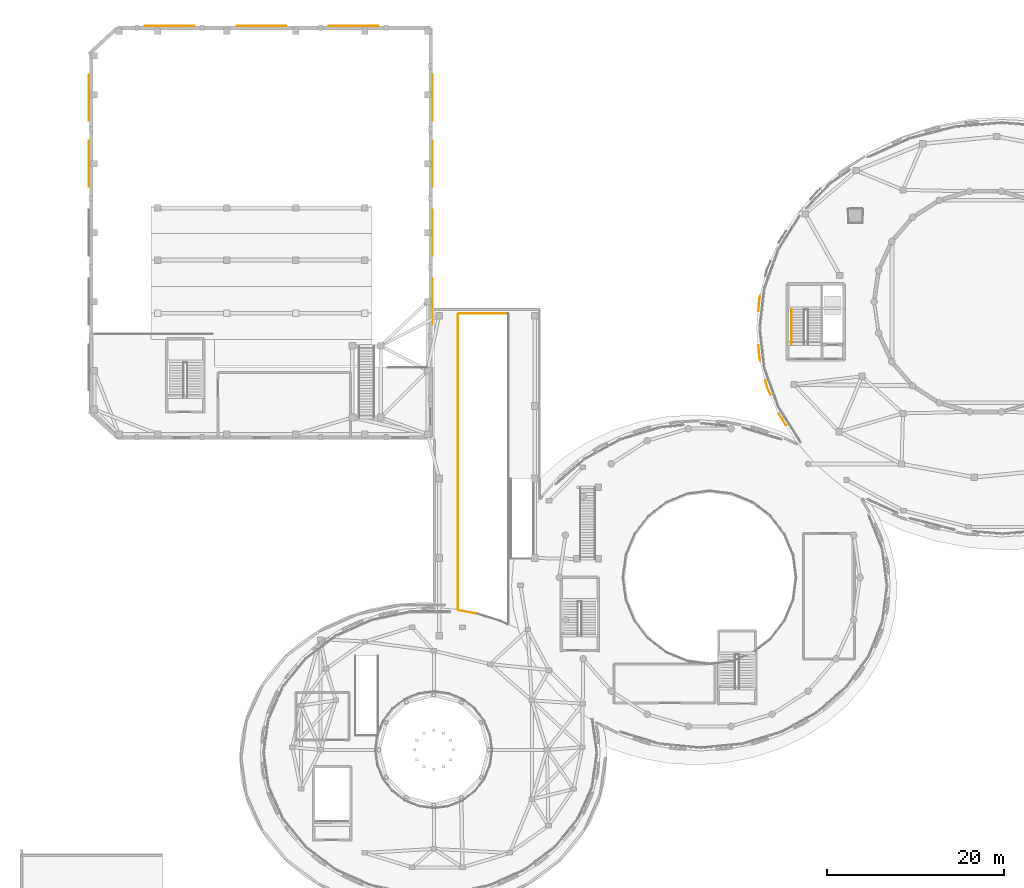
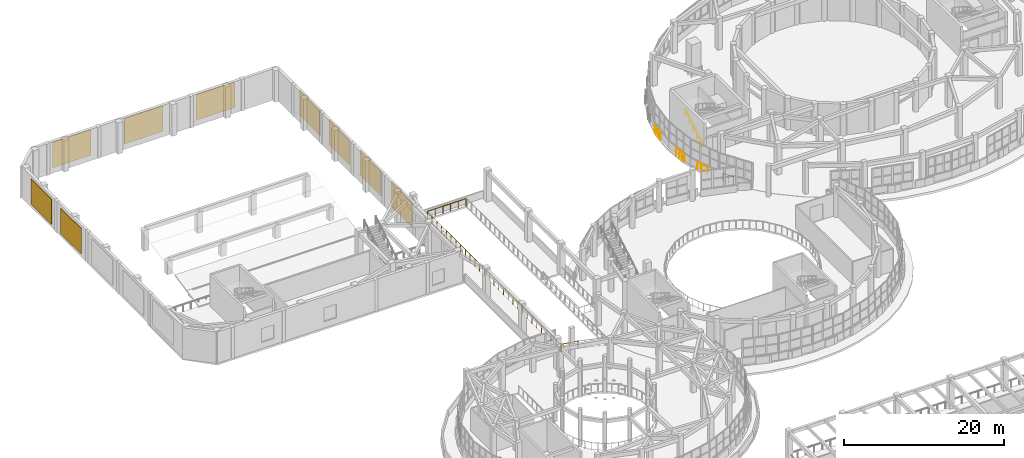
# One storey, part 94 of 98: 9 coverings, 6 railings.
"""IFC4 building model written with IfcOpenShell, lengths in metres."""

import ifcopenshell
import ifcopenshell.guid

model = None  # the IFC model being written
_history = None  # IfcOwnerHistory: only IFC2X3 demands one
_inside = {}  # id of a spatial element -> (the spatial element, [elements in it])
_under = {}  # id of a project, library or spatial element -> (it, [spatial elements below it])
_declared = {}  # id of a project -> (the project, [libraries it declares])
_typed = {}  # id of a type object -> (the type object, [elements of that type])
_made_of = {}  # id of a material, layer set ... -> (it, [elements and type objects made of it])


def new_model(schema):
    """Start an empty IFC model of exactly this schema.

    Asked for "IFC4X3", IfcOpenShell would pick the latest addendum, in which some entities
    have other attributes; the version numbers below select the first issue.
    IFC2X3 requires an IfcOwnerHistory on every rooted entity: one is made here for all.
    """
    global model, _history
    if schema == "IFC4X3":
        model = ifcopenshell.file(schema_version=(4, 3, 0, 0))
    else:
        model = ifcopenshell.file(schema=schema)
    _inside.clear()
    _under.clear()
    _declared.clear()
    _typed.clear()
    _made_of.clear()
    _history = None
    if model.schema == "IFC2X3":
        org = make("IfcOrganization", Name="unknown")
        user = make(
            "IfcPersonAndOrganization",
            ThePerson=make("IfcPerson", FamilyName="unknown"),
            TheOrganization=org,
        )
        app = make(
            "IfcApplication",
            ApplicationDeveloper=org,
            Version="unknown",
            ApplicationFullName="unknown",
            ApplicationIdentifier="unknown",
        )
        _history = make(
            "IfcOwnerHistory",
            OwningUser=user,
            OwningApplication=app,
            ChangeAction="ADDED",
            CreationDate=0,
        )
    return model


def make(cls, **values):
    """One entity of the class cls with the attributes given. An attribute that is None is left unset."""
    return model.create_entity(
        cls, **{name: value for name, value in values.items() if value is not None}
    )


def rooted(cls, **values):
    """An entity with a GlobalId (a new one), such as an element, a storey or a relation."""
    return make(cls, GlobalId=ifcopenshell.guid.new(), OwnerHistory=_history, **values)


def si_unit(unit_type, name, prefix=None):
    """IfcSIUnit, for example si_unit("LENGTHUNIT", "METRE", prefix="MILLI")."""
    return make("IfcSIUnit", UnitType=unit_type, Prefix=prefix, Name=name)


def assignment(units):
    """IfcUnitAssignment: the units of a project."""
    return None if units is None else make("IfcUnitAssignment", Units=units)


def point(xyz):
    """IfcCartesianPoint."""
    return None if xyz is None else make("IfcCartesianPoint", Coordinates=xyz)


def direction(xyz):
    """IfcDirection."""
    return None if xyz is None else make("IfcDirection", DirectionRatios=xyz)


def frame(location, z_axis=None, x_axis=None):
    """IfcAxis2Placement3D, a coordinate frame: its origin and axes. An axis left out is left unset."""
    return make(
        "IfcAxis2Placement3D",
        Location=point(location),
        Axis=direction(z_axis),
        RefDirection=direction(x_axis),
    )


def frame_2d(location, x_axis=None):
    """IfcAxis2Placement2D, a coordinate frame in the plane: its origin and x axis."""
    return make(
        "IfcAxis2Placement2D", Location=point(location), RefDirection=direction(x_axis)
    )


def origin():
    """The frame at (0, 0, 0) with its axes left unset."""
    return frame((0.0, 0.0, 0.0))


def origin_2d():
    """The frame at (0, 0) in the plane with its x axis left unset."""
    return frame_2d((0.0, 0.0))


def place(relative_to, where):
    """IfcLocalPlacement: puts the frame where relative to a parent placement (None: the world)."""
    return make(
        "IfcLocalPlacement", PlacementRelTo=relative_to, RelativePlacement=where
    )


def context(
    kind, dimensions, precision=None, world=None, true_north=None, identifier=None
):
    """IfcGeometricRepresentationContext, for example the 3D "Model" context."""
    return make(
        "IfcGeometricRepresentationContext",
        ContextIdentifier=identifier,
        ContextType=kind,
        CoordinateSpaceDimension=dimensions,
        Precision=precision,
        WorldCoordinateSystem=world,
        TrueNorth=true_north,
    )


def subcontext(parent, identifier, kind, view, scale=None):
    """IfcGeometricRepresentationSubContext, for example "Body" below "Model"."""
    return make(
        "IfcGeometricRepresentationSubContext",
        ContextIdentifier=identifier,
        ContextType=kind,
        ParentContext=parent,
        TargetScale=scale,
        TargetView=view,
    )


def project(units=None, contexts=None):
    """IfcProject with its units and contexts."""
    return rooted(
        "IfcProject",
        Name="project",
        RepresentationContexts=contexts,
        UnitsInContext=assignment(units),
    )


def spatial(cls, under=None, at=None, **own):
    """A site, building, storey or space (cls), placed at a placement, below another one or the project."""
    s = rooted(cls, ObjectPlacement=at, **own)
    if under is not None:
        _under.setdefault(under.id(), (under, []))[1].append(s)
    return s


def profile(cls, at=None, kind="AREA", **sizes):
    """A parametric profile (cls). Its sizes go by their IFC names, for example OverallWidth=200.0."""
    return make(cls, ProfileType=kind, Position=at, **sizes)


def rectangle(**sizes):
    """IfcRectangleProfileDef."""
    return profile("IfcRectangleProfileDef", **sizes)


def circle(**sizes):
    """IfcCircleProfileDef."""
    return profile("IfcCircleProfileDef", **sizes)


def extrude(swept, where, along, depth):
    """IfcExtrudedAreaSolid: the profile swept, set in the frame where, extruded along a direction by depth."""
    return make(
        "IfcExtrudedAreaSolid",
        SweptArea=swept,
        Position=where,
        ExtrudedDirection=direction(along),
        Depth=depth,
    )


def shape(context_of_items, identifier, shape_type, items):
    """IfcShapeRepresentation: the items that make up one representation, for example the "Body"."""
    return make(
        "IfcShapeRepresentation",
        ContextOfItems=context_of_items,
        RepresentationIdentifier=identifier,
        RepresentationType=shape_type,
        Items=items,
    )


def material(Name=None, Category=None):
    """IfcMaterial."""
    return make("IfcMaterial", Name=Name, Category=Category)


def layer(
    of_material, thickness, ventilated=None, Name=None, Category=None, Priority=None
):
    """IfcMaterialLayer: one layer of a wall or slab, of a material (None: an air gap)."""
    return make(
        "IfcMaterialLayer",
        Material=of_material,
        LayerThickness=thickness,
        IsVentilated=ventilated,
        Name=Name,
        Category=Category,
        Priority=Priority,
    )


def layer_set(layers, Name=None):
    """IfcMaterialLayerSet."""
    return make("IfcMaterialLayerSet", MaterialLayers=layers, LayerSetName=Name)


def made_of(thing, what):
    """Note that an element or type object is made of a material, layer set ...; save() writes the relation."""
    if what is not None:
        _made_of.setdefault(what.id(), (what, []))[1].append(thing)
    return thing


def type_object(cls, material=None, **own):
    """A type object (cls), such as IfcWallType, which elements share."""
    return made_of(rooted(cls, **own), material)


def element(
    cls,
    number,
    at=None,
    inside=None,
    cuts=None,
    type_object=None,
    material=None,
    context=None,
    identifier="Body",
    shape_type=None,
    held_by="IfcProductDefinitionShape",
    body=None,
    shapes=None,
    **own,
):
    """One element of the class cls, such as IfcWall. Its Tag is "e" and its number.

    at: its placement. inside: the storey or other place that contains it. cuts: it is an
    opening in that element (IfcRelVoidsElement). A single representation is given by context,
    identifier, shape_type and body (its items); several are given by shapes. held_by: the class
    of the entity that holds the representations. save() writes the other relations.
    """
    e = rooted(cls, Tag="e%d" % number, ObjectPlacement=at, **own)
    if body is not None:
        shapes = [shape(context, identifier, shape_type, body)]
    if shapes is not None:
        e.Representation = make(held_by, Representations=shapes)
    if inside is not None:
        _inside.setdefault(inside.id(), (inside, []))[1].append(e)
    if cuts is not None:
        rooted(
            "IfcRelVoidsElement", RelatingBuildingElement=cuts, RelatedOpeningElement=e
        )
    if type_object is not None:
        _typed.setdefault(type_object.id(), (type_object, []))[1].append(e)
    return made_of(e, material)


def aggregate(whole, parts):
    """IfcRelAggregates: a whole, such as a stair, and the parts it consists of."""
    return rooted("IfcRelAggregates", RelatingObject=whole, RelatedObjects=parts)


def save(model, path):
    """Write the relations noted so far, then the file.

    IfcRelAggregates (storeys below a building ...), IfcRelContainedInSpatialStructure (elements
    in a storey), IfcRelDefinesByType, IfcRelAssociatesMaterial and IfcRelDeclares: one each for
    every whole, place, type object, material and project.
    """
    for whole, parts in _under.values():
        aggregate(whole, parts)
    for where, things in _inside.values():
        rooted(
            "IfcRelContainedInSpatialStructure",
            RelatedElements=things,
            RelatingStructure=where,
        )
    for kind, things in _typed.values():
        rooted("IfcRelDefinesByType", RelatedObjects=things, RelatingType=kind)
    for what, things in _made_of.values():
        rooted("IfcRelAssociatesMaterial", RelatedObjects=things, RelatingMaterial=what)
    for by, libraries in _declared.values():
        rooted("IfcRelDeclares", RelatingContext=by, RelatedDefinitions=libraries)
    model.write(path)


model = new_model("IFC4")

# Units and contexts
model_context = context("Model", 3, precision=1e-05, world=origin(), true_north=direction((0.0, 1.0)))
body_context = subcontext(model_context, "Body", "Model", "MODEL_VIEW")
ifc_project = project(units=[si_unit("LENGTHUNIT", "METRE"), si_unit("AREAUNIT", "SQUARE_METRE"), si_unit("VOLUMEUNIT", "CUBIC_METRE"), si_unit("PLANEANGLEUNIT", "RADIAN"), si_unit("MASSUNIT", "GRAM", prefix="KILO")], contexts=[model_context])

# Site, building, storey
site_placement = place(None, origin())
site = spatial("IfcSite", under=ifc_project, at=site_placement, CompositionType="ELEMENT")
building_placement = place(site_placement, origin())
building = spatial("IfcBuilding", under=site, at=building_placement, Name="Pelvatis Terrace Science Centre", CompositionType="ELEMENT")
storey_placement = place(building_placement, frame((0.0, 0.0, 5.39990234375)))
storey = spatial("IfcBuildingStorey", under=building, at=storey_placement, Name="L01", CompositionType="ELEMENT", Elevation=5.39990234375)

# Coverings
ifc_material_1 = material(Name="Fluted warm stone-aggregate precast facade relief panel", Category="masonry")
ifc_layer = layer(ifc_material_1, 0.054931640625)
ifc_layer_set = layer_set([ifc_layer], Name="Fluted warm stone-aggregate precast facade relief panel")
covering_type = type_object("IfcCoveringType", Name="COV-CLAD-PREC-55", PredefinedType="CLADDING", material=ifc_layer_set)
for number, where, z_axis, x_axis, name in (
    (1, (7.8173828125, 101.39990234375, 0.500244140625), (0.0, 0.0, 1.0), (1.0, 0.0, 0.0), "Theatre fluted Art Deco relief panel W4 (L01)"),
    (2, (7.8173828125, 108.85009765625, 0.500244140625), (0.0, 0.0, 1.0), (1.0, 0.0, 0.0), "Theatre fluted Art Deco relief panel W5 (L01)"),
):
    element("IfcCovering", number, at=place(storey_placement, frame(where, z_axis=z_axis, x_axis=x_axis)), inside=storey, type_object=covering_type, Name=name, PredefinedType="CLADDING", context=body_context, shape_type="SweptSolid", body=[
        extrude(rectangle(XDim=0.054931640625, YDim=5.199951171875, at=origin_2d()), origin(), (0.0, 0.0, 1.0), 3.89990234375),
    ])
for number, where, z_axis, x_axis, name in (
    (3, (16.89990234375, 116.982421875, 0.500244140625), (0.0, 0.0, 1.0), (1.0, 0.0, 0.0), "Theatre fluted Art Deco relief panel N1 (L01)"),
    (4, (27.300048828125, 116.982421875, 0.500244140625), (0.0, 0.0, 1.0), (1.0, 0.0, 0.0), "Theatre fluted Art Deco relief panel N2 (L01)"),
    (5, (37.699951171875, 116.982421875, 0.500244140625), (0.0, 0.0, 1.0), (1.0, 0.0, 0.0), "Theatre fluted Art Deco relief panel N3 (L01)"),
):
    element("IfcCovering", number, at=place(storey_placement, frame(where, z_axis=z_axis, x_axis=x_axis)), inside=storey, type_object=covering_type, Name=name, PredefinedType="CLADDING", context=body_context, shape_type="SweptSolid", body=[
        extrude(rectangle(XDim=5.60009765625, YDim=0.054931640625, at=origin_2d()), origin(), (0.0, 0.0, 1.0), 3.89990234375),
    ])
for number, where, z_axis, x_axis, name in (
    (6, (46.6826171875, 85.800048828125, 0.500244140625), (0.0, 0.0, 1.0), (1.0, 0.0, 0.0), "Theatre fluted Art Deco relief panel E1 (L01)"),
    (7, (46.6826171875, 93.60009765625, 0.500244140625), (0.0, 0.0, 1.0), (1.0, 0.0, 0.0), "Theatre fluted Art Deco relief panel E2 (L01)"),
    (8, (46.6826171875, 101.39990234375, 0.500244140625), (0.0, 0.0, 1.0), (1.0, 0.0, 0.0), "Theatre fluted Art Deco relief panel E3 (L01)"),
    (9, (46.6826171875, 108.85009765625, 0.500244140625), (0.0, 0.0, 1.0), (1.0, 0.0, 0.0), "Theatre fluted Art Deco relief panel E4 (L01)"),
):
    element("IfcCovering", number, at=place(storey_placement, frame(where, z_axis=z_axis, x_axis=x_axis)), inside=storey, type_object=covering_type, Name=name, PredefinedType="CLADDING", context=body_context, shape_type="SweptSolid", body=[
        extrude(rectangle(XDim=0.054931640625, YDim=5.199951171875, at=origin_2d()), origin(), (0.0, 0.0, 1.0), 3.89990234375),
    ])

# Railings
ifc_material_2 = material(Name="Bronze-anodised aluminium and laminated safety glass balustrade", Category="aluminium")
railing_type_1 = type_object("IfcRailingType", Name="RLG-BAL-1150", PredefinedType="BALUSTRADE", material=ifc_material_2)
railing_1_placement = place(storey_placement, frame((86.629150390625, 71.837158203125, 0.0)))
element("IfcRailing", 10, at=railing_1_placement, inside=storey, type_object=railing_type_1, Name="Perimeter edge balustrade RLG-EDG-L01-118", PredefinedType="BALUSTRADE", context=body_context, shape_type="SweptSolid", body=[
    extrude(circle(Radius=0.02392578125, at=origin_2d()), frame((0.0, 0.0, 1.1259765625), z_axis=(-0.533740797709, 0.845648130643, 0.0), x_axis=(-0.845648130643, -0.533740797709, 0.0)), (0.0, 0.0, 1.0), 1.493408203125),
    extrude(circle(Radius=0.02099609375, at=origin_2d()), origin(), (0.0, 0.0, 1.0), 1.101806640625),
    extrude(circle(Radius=0.02099609375, at=origin_2d()), frame((-0.3984375, 0.63134765625, 0.0)), (0.0, 0.0, 1.0), 1.101806640625),
    extrude(circle(Radius=0.02099609375, at=origin_2d()), frame((-0.797119140625, 1.262939453125, 0.0)), (0.0, 0.0, 1.0), 1.101806640625),
])
railing_2_placement = place(storey_placement, frame((84.874755859375, 75.279296875, 0.0)))
element("IfcRailing", 11, at=railing_2_placement, inside=storey, type_object=railing_type_1, Name="Perimeter edge balustrade RLG-EDG-L01-119", PredefinedType="BALUSTRADE", context=body_context, shape_type="SweptSolid", body=[
    extrude(circle(Radius=0.02392578125, at=origin_2d()), frame((0.0, 0.0, 1.1259765625), z_axis=(-0.40243609214, 0.915448082495, 0.0), x_axis=(-0.915448082495, -0.40243609214, 0.0)), (0.0, 0.0, 1.0), 0.9736328125),
    extrude(circle(Radius=0.02392578125, at=origin_2d()), frame((-0.391845703125, 0.891357421875, 1.1259765625), z_axis=(-0.248014907483, 0.968756215808, 0.0), x_axis=(-0.968756215808, -0.248014907483, 0.0)), (0.0, 0.0, 1.0), 0.7333984375),
    extrude(circle(Radius=0.02099609375, at=origin_2d()), origin(), (0.0, 0.0, 1.0), 1.101806640625),
    extrude(circle(Radius=0.02099609375, at=origin_2d()), frame((-0.391845703125, 0.891357421875, 0.0)), (0.0, 0.0, 1.0), 1.101806640625),
    extrude(circle(Radius=0.02099609375, at=origin_2d()), frame((-0.57373046875, 1.601806640625, 0.0)), (0.0, 0.0, 1.0), 1.101806640625),
])
railing_3_placement = place(storey_placement, frame((83.72412109375, 79.132568359375, 0.0)))
element("IfcRailing", 12, at=railing_3_placement, inside=storey, type_object=railing_type_1, Name="Perimeter edge balustrade RLG-EDG-L01-120", PredefinedType="BALUSTRADE", context=body_context, shape_type="SweptSolid", body=[
    extrude(circle(Radius=0.02392578125, at=origin_2d()), frame((0.0, 0.0, 1.1259765625), z_axis=(-0.248464571072, 0.968640984536, 0.0), x_axis=(-0.968640984536, -0.248464571072, 0.0)), (0.0, 0.0, 1.0), 0.3291015625),
    extrude(circle(Radius=0.02392578125, at=origin_2d()), frame((-0.081787109375, 0.31884765625, 1.1259765625), z_axis=(-0.083940879904, 0.99647073649, 0.0), x_axis=(-0.99647073649, -0.083940879904, 0.0)), (0.0, 0.0, 1.0), 1.39892578125),
    extrude(circle(Radius=0.02099609375, at=origin_2d()), origin(), (0.0, 0.0, 1.0), 1.101806640625),
    extrude(circle(Radius=0.02099609375, at=origin_2d()), frame((-0.081787109375, 0.31884765625, 0.0)), (0.0, 0.0, 1.0), 1.101806640625),
    extrude(circle(Radius=0.02099609375, at=origin_2d()), frame((-0.140625, 1.015869140625, 0.0)), (0.0, 0.0, 1.0), 1.101806640625),
    extrude(circle(Radius=0.02099609375, at=origin_2d()), frame((-0.19921875, 1.712890625, 0.0)), (0.0, 0.0, 1.0), 1.101806640625),
])
railing_4_placement = place(storey_placement, frame((83.52490234375, 84.75439453125, 0.0)))
element("IfcRailing", 13, at=railing_4_placement, inside=storey, type_object=railing_type_1, Name="Perimeter edge balustrade RLG-EDG-L01-121", PredefinedType="BALUSTRADE", context=body_context, shape_type="SweptSolid", body=[
    extrude(circle(Radius=0.02392578125, at=origin_2d()), frame((0.0, 0.0, 1.1259765625), z_axis=(0.083926285335, 0.996471965802, 0.0), x_axis=(-0.996471965802, 0.083926285335, 0.0)), (0.0, 0.0, 1.0), 1.399169921875),
    extrude(circle(Radius=0.02392578125, at=origin_2d()), frame((0.117431640625, 1.394287109375, 1.1259765625), z_axis=(0.248643198776, 0.96859514747, 0.0), x_axis=(-0.96859514747, 0.248643198776, 0.0)), (0.0, 0.0, 1.0), 0.328857421875),
    extrude(circle(Radius=0.02099609375, at=origin_2d()), origin(), (0.0, 0.0, 1.0), 1.101806640625),
    extrude(circle(Radius=0.02099609375, at=origin_2d()), frame((0.05859375, 0.697265625, 0.0)), (0.0, 0.0, 1.0), 1.101806640625),
    extrude(circle(Radius=0.02099609375, at=origin_2d()), frame((0.117431640625, 1.394287109375, 0.0)), (0.0, 0.0, 1.0), 1.101806640625),
    extrude(circle(Radius=0.02099609375, at=origin_2d()), frame((0.19921875, 1.712890625, 0.0)), (0.0, 0.0, 1.0), 1.101806640625),
])
railing_5_placement = place(storey_placement, frame((55.172607421875, 84.459228515625, 0.0)))
element("IfcRailing", 14, at=railing_5_placement, inside=storey, type_object=railing_type_1, Name="Perimeter edge balustrade RLG-EDG-L01-242", PredefinedType="BALUSTRADE", context=body_context, shape_type="SweptSolid", body=[
    extrude(circle(Radius=0.02392578125, at=origin_2d()), frame((0.0, 0.0, 1.1259765625), z_axis=(-0.999999991238, 0.000132380195, 0.0), x_axis=(-0.000132380195, -0.999999991238, 0.0)), (0.0, 0.0, 1.0), 5.53271484375),
    extrude(circle(Radius=0.02392578125, at=origin_2d()), frame((-5.53271484375, 0.000732421875, 1.1259765625), z_axis=(-0.750970313931, -0.660335965698, 0.0), x_axis=(0.660335965698, -0.750970313931, 0.0)), (0.0, 0.0, 1.0), 0.132080078125),
    extrude(circle(Radius=0.02392578125, at=origin_2d()), frame((-5.6318359375, -0.08642578125, 1.1259765625), z_axis=(-1.4619028e-05, -0.999999999893, 0.0), x_axis=(0.999999999893, -1.4619028e-05, 0.0)), (0.0, 0.0, 1.0), 33.400390625),
    extrude(circle(Radius=0.02392578125, at=origin_2d()), frame((-5.63232421875, -33.48681640625, 1.1259765625), z_axis=(0.655472859889, -0.755218729872, 0.0), x_axis=(0.755218729872, 0.655472859889, 0.0)), (0.0, 0.0, 1.0), 0.119873046875),
    extrude(circle(Radius=0.02392578125, at=origin_2d()), frame((-5.5537109375, -33.577392578125, 1.1259765625), z_axis=(0.983150803397, -0.182796328684, 0.0), x_axis=(0.182796328684, 0.983150803397, 0.0)), (0.0, 0.0, 1.0), 2.213134765625),
    extrude(circle(Radius=0.02099609375, at=origin_2d()), origin(), (0.0, 0.0, 1.0), 1.101806640625),
    extrude(circle(Radius=0.02099609375, at=origin_2d()), frame((-1.1064453125, 0.000244140625, 0.0)), (0.0, 0.0, 1.0), 1.101806640625),
    extrude(circle(Radius=0.02099609375, at=origin_2d()), frame((-2.213134765625, 0.000244140625, 0.0)), (0.0, 0.0, 1.0), 1.101806640625),
    extrude(circle(Radius=0.02099609375, at=origin_2d()), frame((-3.319580078125, 0.00048828125, 0.0)), (0.0, 0.0, 1.0), 1.101806640625),
    extrude(circle(Radius=0.02099609375, at=origin_2d()), frame((-4.42626953125, 0.00048828125, 0.0)), (0.0, 0.0, 1.0), 1.101806640625),
    extrude(circle(Radius=0.02099609375, at=origin_2d()), frame((-5.53271484375, 0.000732421875, 0.0)), (0.0, 0.0, 1.0), 1.101806640625),
    extrude(circle(Radius=0.02099609375, at=origin_2d()), frame((-5.6318359375, -0.08642578125, 0.0)), (0.0, 0.0, 1.0), 1.101806640625),
    extrude(circle(Radius=0.02099609375, at=origin_2d()), frame((-5.6318359375, -1.279296875, 0.0)), (0.0, 0.0, 1.0), 1.101806640625),
    extrude(circle(Radius=0.02099609375, at=origin_2d()), frame((-5.6318359375, -2.47216796875, 0.0)), (0.0, 0.0, 1.0), 1.101806640625),
    extrude(circle(Radius=0.02099609375, at=origin_2d()), frame((-5.6318359375, -3.6650390625, 0.0)), (0.0, 0.0, 1.0), 1.101806640625),
    extrude(circle(Radius=0.02099609375, at=origin_2d()), frame((-5.6318359375, -4.85791015625, 0.0)), (0.0, 0.0, 1.0), 1.101806640625),
    extrude(circle(Radius=0.02099609375, at=origin_2d()), frame((-5.6318359375, -6.05078125, 0.0)), (0.0, 0.0, 1.0), 1.101806640625),
    extrude(circle(Radius=0.02099609375, at=origin_2d()), frame((-5.6318359375, -7.24365234375, 0.0)), (0.0, 0.0, 1.0), 1.101806640625),
    extrude(circle(Radius=0.02099609375, at=origin_2d()), frame((-5.6318359375, -8.4365234375, 0.0)), (0.0, 0.0, 1.0), 1.101806640625),
    extrude(circle(Radius=0.02099609375, at=origin_2d()), frame((-5.632080078125, -9.62939453125, 0.0)), (0.0, 0.0, 1.0), 1.101806640625),
    extrude(circle(Radius=0.02099609375, at=origin_2d()), frame((-5.632080078125, -10.822265625, 0.0)), (0.0, 0.0, 1.0), 1.101806640625),
    extrude(circle(Radius=0.02099609375, at=origin_2d()), frame((-5.632080078125, -12.01513671875, 0.0)), (0.0, 0.0, 1.0), 1.101806640625),
    extrude(circle(Radius=0.02099609375, at=origin_2d()), frame((-5.632080078125, -13.2080078125, 0.0)), (0.0, 0.0, 1.0), 1.101806640625),
    extrude(circle(Radius=0.02099609375, at=origin_2d()), frame((-5.632080078125, -14.40087890625, 0.0)), (0.0, 0.0, 1.0), 1.101806640625),
    extrude(circle(Radius=0.02099609375, at=origin_2d()), frame((-5.632080078125, -15.59375, 0.0)), (0.0, 0.0, 1.0), 1.101806640625),
    extrude(circle(Radius=0.02099609375, at=origin_2d()), frame((-5.632080078125, -16.78662109375, 0.0)), (0.0, 0.0, 1.0), 1.101806640625),
    extrude(circle(Radius=0.02099609375, at=origin_2d()), frame((-5.632080078125, -17.9794921875, 0.0)), (0.0, 0.0, 1.0), 1.101806640625),
    extrude(circle(Radius=0.02099609375, at=origin_2d()), frame((-5.632080078125, -19.17236328125, 0.0)), (0.0, 0.0, 1.0), 1.101806640625),
    extrude(circle(Radius=0.02099609375, at=origin_2d()), frame((-5.632080078125, -20.365234375, 0.0)), (0.0, 0.0, 1.0), 1.101806640625),
    extrude(circle(Radius=0.02099609375, at=origin_2d()), frame((-5.632080078125, -21.55810546875, 0.0)), (0.0, 0.0, 1.0), 1.101806640625),
    extrude(circle(Radius=0.02099609375, at=origin_2d()), frame((-5.632080078125, -22.7509765625, 0.0)), (0.0, 0.0, 1.0), 1.101806640625),
    extrude(circle(Radius=0.02099609375, at=origin_2d()), frame((-5.632080078125, -23.94384765625, 0.0)), (0.0, 0.0, 1.0), 1.101806640625),
    extrude(circle(Radius=0.02099609375, at=origin_2d()), frame((-5.63232421875, -25.13671875, 0.0)), (0.0, 0.0, 1.0), 1.101806640625),
    extrude(circle(Radius=0.02099609375, at=origin_2d()), frame((-5.63232421875, -26.32958984375, 0.0)), (0.0, 0.0, 1.0), 1.101806640625),
    extrude(circle(Radius=0.02099609375, at=origin_2d()), frame((-5.63232421875, -27.5224609375, 0.0)), (0.0, 0.0, 1.0), 1.101806640625),
    extrude(circle(Radius=0.02099609375, at=origin_2d()), frame((-5.63232421875, -28.71533203125, 0.0)), (0.0, 0.0, 1.0), 1.101806640625),
    extrude(circle(Radius=0.02099609375, at=origin_2d()), frame((-5.63232421875, -29.908203125, 0.0)), (0.0, 0.0, 1.0), 1.101806640625),
    extrude(circle(Radius=0.02099609375, at=origin_2d()), frame((-5.63232421875, -31.10107421875, 0.0)), (0.0, 0.0, 1.0), 1.101806640625),
    extrude(circle(Radius=0.02099609375, at=origin_2d()), frame((-5.63232421875, -32.2939453125, 0.0)), (0.0, 0.0, 1.0), 1.101806640625),
    extrude(circle(Radius=0.02099609375, at=origin_2d()), frame((-5.63232421875, -33.48681640625, 0.0)), (0.0, 0.0, 1.0), 1.101806640625),
    extrude(circle(Radius=0.02099609375, at=origin_2d()), frame((-5.5537109375, -33.577392578125, 0.0)), (0.0, 0.0, 1.0), 1.101806640625),
    extrude(circle(Radius=0.02099609375, at=origin_2d()), frame((-4.4658203125, -33.77978515625, 0.0)), (0.0, 0.0, 1.0), 1.101806640625),
    extrude(circle(Radius=0.02099609375, at=origin_2d()), frame((-3.3779296875, -33.98193359375, 0.0)), (0.0, 0.0, 1.0), 1.101806640625),
])
ifc_material_3 = material(Name="Brushed architectural bronze tubular railing", Category="steel")
railing_type_2 = type_object("IfcRailingType", Name="RLG-HND-0900", PredefinedType="HANDRAIL", material=ifc_material_3)
railing_6_placement = place(storey_placement, frame((87.260009765625, 81.0, 0.0)))
element("IfcRailing", 15, at=railing_6_placement, inside=storey, type_object=railing_type_2, Name="Stair ST-01-L01 wall handrail", PredefinedType="HANDRAIL", context=body_context, shape_type="SweptSolid", body=[
    extrude(circle(Radius=0.02392578125, at=origin_2d()), frame((0.0, 0.0, 0.8759765625), z_axis=(0.0, 0.851638180308, 0.5241301459), x_axis=(-1.0, 0.0, 0.0)), (0.0, 0.0, 1.0), 4.579345703125),
    extrude(circle(Radius=0.02099609375, at=origin_2d()), origin(), (0.0, 0.0, 1.0), 0.851806640625),
    extrude(circle(Radius=0.02099609375, at=origin_2d()), frame((0.0, 0.97509765625, 0.60009765625)), (0.0, 0.0, 1.0), 0.851806640625),
    extrude(circle(Radius=0.02099609375, at=origin_2d()), frame((0.0, 1.949951171875, 1.2001953125)), (0.0, 0.0, 1.0), 0.851806640625),
    extrude(circle(Radius=0.02099609375, at=origin_2d()), frame((0.0, 2.9248046875, 1.800048828125)), (0.0, 0.0, 1.0), 0.851806640625),
    extrude(circle(Radius=0.02099609375, at=origin_2d()), frame((0.0, 3.89990234375, 2.400146484375)), (0.0, 0.0, 1.0), 0.851806640625),
])

save(model, "model.ifc")
